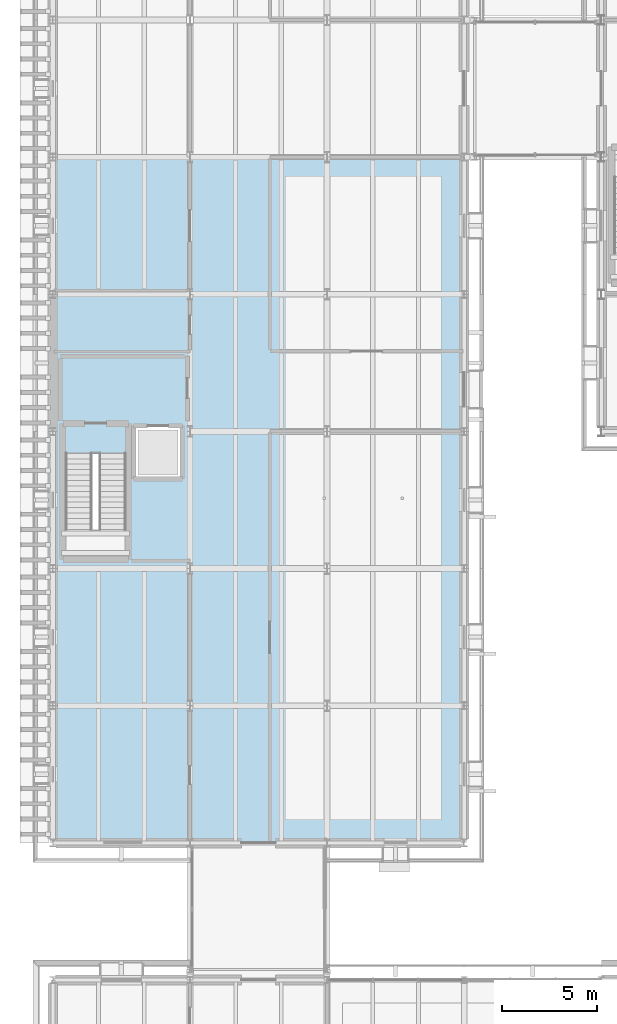
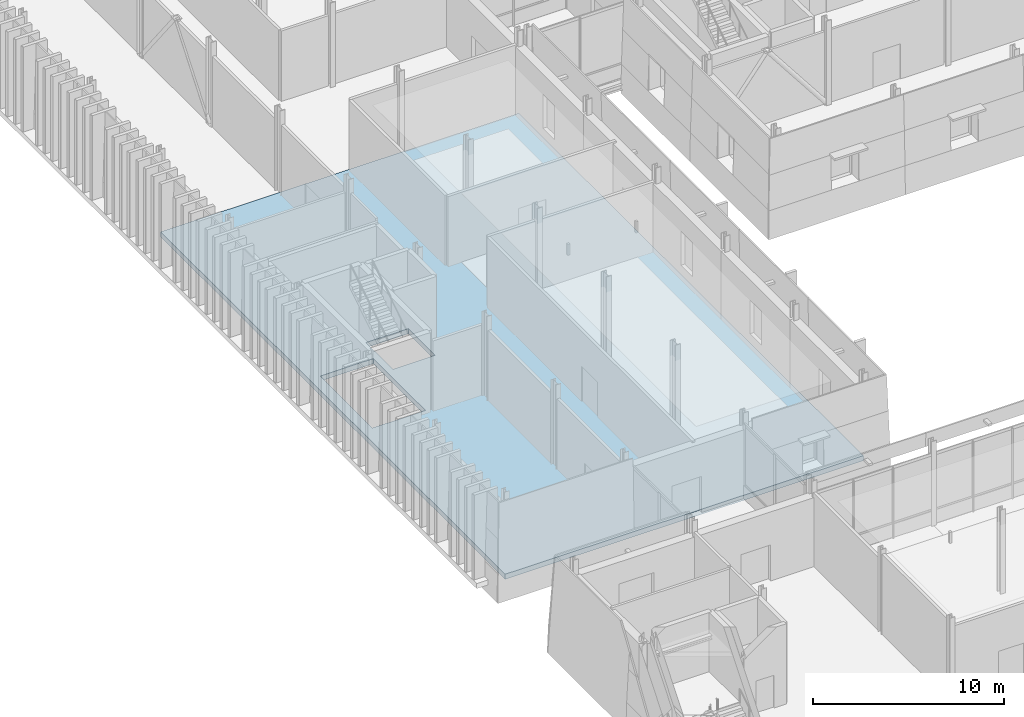
# One storey, part 49 of 120: 1 slab.
"""IFC4 building model written with IfcOpenShell, lengths in metres."""

from ifc_helpers import new_model, si_unit, direction, frame, origin, place, context, subcontext, project, spatial, polyline, outline, extrude, material, layer, layer_set, type_object, element, save


model = new_model("IFC4")

# Units and contexts
model_context = context("Model", 3, precision=1e-05, world=origin(), true_north=direction((0.0, 1.0)))
body_context = subcontext(model_context, "Body", "Model", "MODEL_VIEW")
ifc_project = project(units=[si_unit("LENGTHUNIT", "METRE"), si_unit("AREAUNIT", "SQUARE_METRE"), si_unit("VOLUMEUNIT", "CUBIC_METRE"), si_unit("PLANEANGLEUNIT", "RADIAN"), si_unit("MASSUNIT", "GRAM", prefix="KILO")], contexts=[model_context])

# Site, building, storey
site_placement = place(None, origin())
site = spatial("IfcSite", under=ifc_project, at=site_placement, CompositionType="ELEMENT")
building_placement = place(site_placement, origin())
building = spatial("IfcBuilding", under=site, at=building_placement, Name="Narikvali Park Central Library", CompositionType="ELEMENT")
storey_placement = place(building_placement, origin())
storey = spatial("IfcBuildingStorey", under=building, at=storey_placement, Name="L00", CompositionType="ELEMENT", Elevation=0.0)

# Slab
ifc_material = material(Name="Concrete C35/45", Category="concrete")
ifc_layer = layer(ifc_material, 0.320068359375, Name="Concrete C35/45")
ifc_layer_set = layer_set([ifc_layer], Name="Concrete C35/45")
slab_type = type_object("IfcSlabType", Name="Ground Plinth Composite Slab 320", PredefinedType="FLOOR", material=ifc_layer_set)
slab_placement = place(storey_placement, frame((0.0, 0.0, -0.320068359375)))
element("IfcSlab", 1, at=slab_placement, inside=storey, type_object=slab_type, Name="V5 L00 Structural Slab Panel 1", PredefinedType="FLOOR", context=body_context, shape_type="SweptSolid", body=[
    extrude(outline(polyline([(0.0, 28.800048828125), (21.60009765625, 28.800048828125), (21.60009765625, 64.800048828125), (0.0, 64.800048828125), (0.0, 28.800048828125)]), holes=[polyline([(0.64990234375, 43.800048828125), (3.85009765625, 43.800048828125), (3.85009765625, 49.25), (0.64990234375, 49.25), (0.64990234375, 43.800048828125)]), polyline([(4.25, 47.89990234375), (6.800048828125, 47.89990234375), (6.800048828125, 50.699951171875), (4.25, 50.699951171875), (4.25, 47.89990234375)])]), origin(), (0.0, 0.0, 1.0), 0.320068359375),
])

save(model, "model.ifc")
